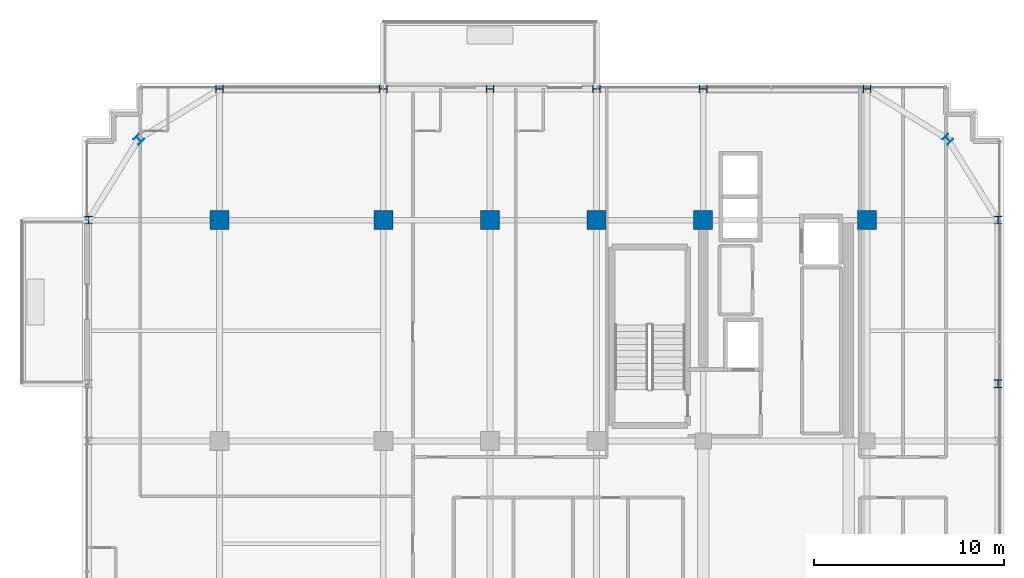
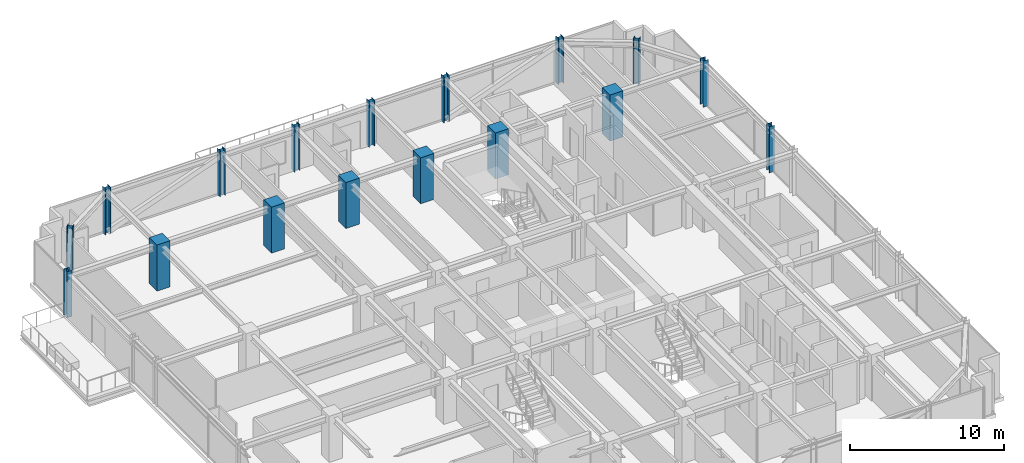
# One storey, part 3 of 41: 17 columns.
"""IFC4 building model written with IfcOpenShell, lengths in metres."""

from ifc_helpers import new_model, si_unit, direction, frame, origin, origin_2d, place, context, subcontext, project, spatial, rectangle, i_section, extrude, source, transform, mapped, material, material_profile, profile_set, type_object, element, save


model = new_model("IFC4")

# Units and contexts
model_context = context("Model", 3, precision=1e-05, world=origin(), true_north=direction((0.0, 1.0)))
body_context = subcontext(model_context, "Body", "Model", "MODEL_VIEW")
ifc_project = project(units=[si_unit("LENGTHUNIT", "METRE"), si_unit("AREAUNIT", "SQUARE_METRE"), si_unit("VOLUMEUNIT", "CUBIC_METRE"), si_unit("PLANEANGLEUNIT", "RADIAN"), si_unit("MASSUNIT", "GRAM", prefix="KILO")], contexts=[model_context])

# Site, building, storey
site_placement = place(None, origin())
site = spatial("IfcSite", under=ifc_project, at=site_placement, CompositionType="ELEMENT")
building_placement = place(site_placement, origin())
building = spatial("IfcBuilding", under=site, at=building_placement, Name="Nahalor Promenade Grand Hotel", CompositionType="ELEMENT")
storey_placement = place(building_placement, frame((0.0, 0.0, 227.10009765625)))
storey = spatial("IfcBuildingStorey", under=building, at=storey_placement, Name="L58", CompositionType="ELEMENT", Elevation=227.10009765625)

# Columns
ifc_material_1 = material(Name="Concrete B-60 (C50/60)", Category="concrete")
ifc_material_profile_1 = material_profile(ifc_material_1, rectangle(XDim=1.0, YDim=1.0, at=origin_2d()), Name="RC 1000x1000")
ifc_profile_set_1 = profile_set([ifc_material_profile_1], Name="Concrete B-60 (C50/60)")
column_type_1 = type_object("IfcColumnType", Name="Col-RC-1000", PredefinedType="COLUMN", material=ifc_profile_set_1)
shared_shape_1 = source(origin(), body_context, "Body", "SweptSolid", [
    extrude(rectangle(XDim=1.0, YDim=1.0, at=origin_2d()), origin(), (0.0, 0.0, 1.0), 3.65478515625),
])
for number, where, z_axis, x_axis, name in (
    (1, (-17.0, 17.0, 0.0), (0.0, 0.0, 1.0), (1.0, 0.0, 0.0), "COL-L58-I03"),
    (2, (-8.39990234375, 17.0, 0.0), (0.0, 0.0, 1.0), (1.0, 0.0, 0.0), "COL-L58-I13"),
    (3, (-2.800048828125, 17.0, 0.0), (0.0, 0.0, 1.0), (1.0, 0.0, 0.0), "COL-L58-I23"),
    (4, (2.800048828125, 17.0, 0.0), (0.0, 0.0, 1.0), (1.0, 0.0, 0.0), "COL-L58-I33"),
    (5, (8.39990234375, 17.0, 0.0), (0.0, 0.0, 1.0), (1.0, 0.0, 0.0), "COL-L58-I43"),
    (6, (17.0, 17.0, 0.0), (0.0, 0.0, 1.0), (1.0, 0.0, 0.0), "COL-L58-I53"),
):
    element("IfcColumn", number, at=place(storey_placement, frame(where, z_axis=z_axis, x_axis=x_axis)), inside=storey, type_object=column_type_1, Name=name, PredefinedType="COLUMN", context=body_context, shape_type="MappedRepresentation", body=[
        mapped(shared_shape_1, transform((0.0, 0.0, 0.0), scale=1.0)),
    ])
ifc_material_2 = material(Name="Steel S355JR", Category="steel")
ifc_material_profile_2 = material_profile(ifc_material_2, i_section(OverallWidth=0.401, OverallDepth=0.406, WebThickness=0.0161, FlangeThickness=0.025, at=origin_2d()), Name="HD 400x314")
ifc_profile_set_2 = profile_set([ifc_material_profile_2], Name="Steel S355JR")
column_type_2 = type_object("IfcColumnType", Name="Col-Steel-HD314", PredefinedType="COLUMN", material=ifc_profile_set_2)
shared_shape_2 = source(origin(), body_context, "Body", "SweptSolid", [
    extrude(i_section(OverallWidth=0.401, OverallDepth=0.406, WebThickness=0.0161, FlangeThickness=0.025, at=origin_2d()), origin(), (0.0, 0.0, 1.0), 3.65478515625),
])
for number, where, z_axis, x_axis, name in (
    (7, (23.8798828125, 8.39990234375, 0.0), (0.0, 0.0, 1.0), (1.0, 0.0, 0.0), "COL-L58-PW-E4"),
    (8, (-23.8798828125, 17.0, 0.0), (0.0, 0.0, 1.0), (1.0, 0.0, 0.0), "COL-L58-PW-W5"),
    (9, (23.8798828125, 17.0, 0.0), (0.0, 0.0, 1.0), (1.0, 0.0, 0.0), "COL-L58-PW-E5"),
    (10, (-17.0, 23.8798828125, 0.0), (0.0, 0.0, 1.0), (0.0, 1.0, 0.0), "COL-L58-PN-N0"),
    (11, (-8.39990234375, 23.8798828125, 0.0), (0.0, 0.0, 1.0), (0.0, 1.0, 0.0), "COL-L58-PN-N1"),
    (12, (-2.800048828125, 23.8798828125, 0.0), (0.0, 0.0, 1.0), (0.0, 1.0, 0.0), "COL-L58-PN-N2"),
    (13, (2.800048828125, 23.8798828125, 0.0), (0.0, 0.0, 1.0), (0.0, 1.0, 0.0), "COL-L58-PN-N3"),
    (14, (8.39990234375, 23.8798828125, 0.0), (0.0, 0.0, 1.0), (0.0, 1.0, 0.0), "COL-L58-PN-N4"),
    (15, (17.0, 23.8798828125, 0.0), (0.0, 0.0, 1.0), (0.0, 1.0, 0.0), "COL-L58-PN-N5"),
    (16, (-21.25, 21.25, 0.0), (0.0, 0.0, 1.0), (0.707106781187, 0.707106781187, 0.0), "COL-L58-CRN-NW"),
    (17, (21.25, 21.25, 0.0), (0.0, 0.0, 1.0), (0.707106781187, 0.707106781187, 0.0), "COL-L58-CRN-NE"),
):
    element("IfcColumn", number, at=place(storey_placement, frame(where, z_axis=z_axis, x_axis=x_axis)), inside=storey, type_object=column_type_2, Name=name, PredefinedType="COLUMN", context=body_context, shape_type="MappedRepresentation", body=[
        mapped(shared_shape_2, transform((0.0, 0.0, 0.0), scale=1.0)),
    ])

save(model, "model.ifc")
